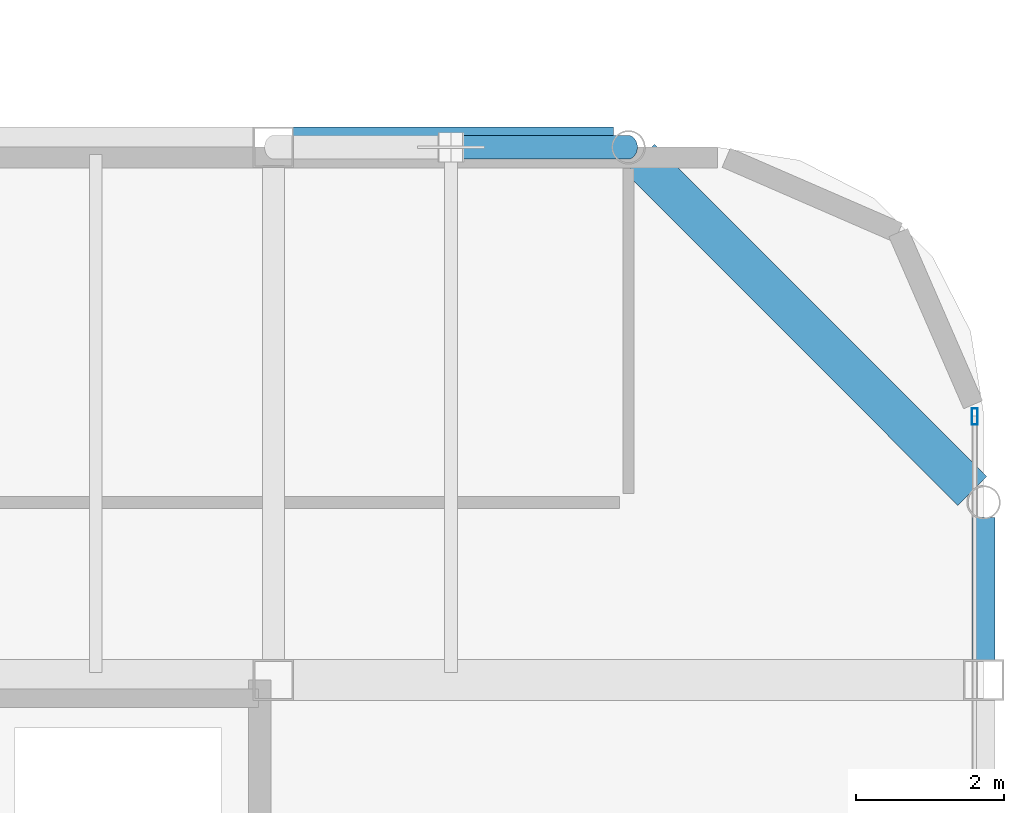
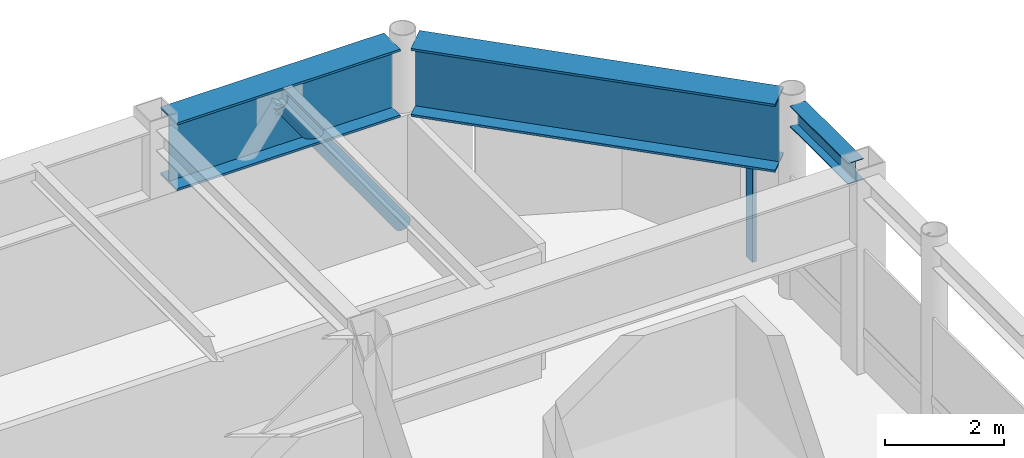
# One storey, part 15 of 23: 3 beams, 2 members, 1 element without a shape of its own.
"""IFC4 building model written with IfcOpenShell, lengths in metres."""

from ifc_helpers import new_model, si_unit, direction, frame, origin, origin_2d, place, context, subcontext, project, spatial, hollow_rectangle, hollow_circle, i_section, extrude, material, layer, layer_set, material_profile, profile_set, type_object, element, aggregate, save


model = new_model("IFC4")

# Units and contexts
model_context = context("Model", 3, precision=1e-05, world=origin(), true_north=direction((0.0, 1.0)))
body_context = subcontext(model_context, "Body", "Model", "MODEL_VIEW")
ifc_project = project(units=[si_unit("LENGTHUNIT", "METRE"), si_unit("AREAUNIT", "SQUARE_METRE"), si_unit("VOLUMEUNIT", "CUBIC_METRE"), si_unit("PLANEANGLEUNIT", "RADIAN"), si_unit("MASSUNIT", "GRAM", prefix="KILO")], contexts=[model_context])

# Site, building, storey
site_placement = place(None, origin())
site = spatial("IfcSite", under=ifc_project, at=site_placement, CompositionType="ELEMENT")
building_placement = place(site_placement, origin())
building = spatial("IfcBuilding", under=site, at=building_placement, Name="Kallvorn Hotel Tower", CompositionType="ELEMENT")
storey_placement = place(building_placement, frame((0.0, 0.0, 282.199951171875)))
storey = spatial("IfcBuildingStorey", under=building, at=storey_placement, Name="L70", CompositionType="ELEMENT", Elevation=282.199951171875)

# Beams
ifc_material_1 = material(Name="Structural steel S355JR", Category="steel")
ifc_material_profile_1 = material_profile(ifc_material_1, i_section(OverallWidth=0.300048828125, OverallDepth=0.43994140625, WebThickness=0.011474609375, FlangeThickness=0.02099609375, at=origin_2d()), Name="HE 450 A")
ifc_profile_set_1 = profile_set([ifc_material_profile_1], Name="Structural steel S355JR")
beam_type_1 = type_object("IfcBeamType", Name="BM_HE450A", PredefinedType="BEAM", material=ifc_profile_set_1)
beam_1_placement = place(storey_placement, frame((24.0, 7.449951171875, 3.780029296875), z_axis=(0.0, 1.0, 0.0), x_axis=(-1.0, 0.0, 0.0)))
element("IfcBeam", 1, at=beam_1_placement, inside=storey, type_object=beam_type_1, Name="L71 Primary Y-Girder 53", PredefinedType="BEAM", context=body_context, shape_type="SweptSolid", body=[
    extrude(i_section(OverallWidth=0.300048828125, OverallDepth=0.43994140625, WebThickness=0.011474609375, FlangeThickness=0.02099609375, at=origin_2d()), origin(), (0.0, 0.0, 1.0), 1.946533203125),
])
ifc_material_2 = material(Name="Structural steel S355JR", Category="steel")
ifc_material_profile_2 = material_profile(ifc_material_2, i_section(OverallWidth=0.550048828125, OverallDepth=1.39990234375, WebThickness=0.02490234375, FlangeThickness=0.044921875, at=origin_2d()), Name="PG 1400x550x25x45")
ifc_profile_set_2 = profile_set([ifc_material_profile_2], Name="Structural steel S355JR")
beam_type_2 = type_object("IfcBeamType", Name="BM_PG_1400", PredefinedType="BEAM", material=ifc_profile_set_2)
beam_2_placement = place(storey_placement, frame((14.64990234375, 14.39990234375, 3.300048828125), z_axis=(1.0, 0.0, 0.0), x_axis=(0.0, 1.0, 0.0)))
element("IfcBeam", 2, at=beam_2_placement, inside=storey, type_object=beam_type_2, Name="L71 Primary X-Girder 24", PredefinedType="BEAM", context=body_context, shape_type="SweptSolid", body=[
    extrude(i_section(OverallWidth=0.550048828125, OverallDepth=1.39990234375, WebThickness=0.02490234375, FlangeThickness=0.044921875, at=origin_2d()), origin(), (0.0, 0.0, 1.0), 4.3466796875),
])
beam_3_placement = place(storey_placement, frame((23.845458984375, 9.75439453125, 3.300048828125), z_axis=(-0.707087561367, 0.707126000484, 0.0), x_axis=(-0.707126000484, -0.707087561367, 0.0)))
element("IfcBeam", 3, at=beam_3_placement, inside=storey, type_object=beam_type_2, Name="L71 Rounded Corner Tie Beam 89", PredefinedType="BEAM", context=body_context, shape_type="SweptSolid", body=[
    extrude(i_section(OverallWidth=0.550048828125, OverallDepth=1.39990234375, WebThickness=0.02490234375, FlangeThickness=0.044921875, at=origin_2d()), origin(), (0.0, 0.0, 1.0), 6.351318359375),
])

# Curtain wall, member
ifc_material_3 = material(Name="Thermally broken black-anodised aluminium AA 6063-T6", Category="aluminium")
ifc_layer = layer(ifc_material_3, 0.25)
ifc_layer_set = layer_set([ifc_layer], Name="CW_SYS_6_SUMMIT_OBS")
curtain_wall_type = type_object("IfcCurtainWallType", Name="CW_SYS_6_SUMMIT_OBS", PredefinedType="USERDEFINED", material=ifc_layer_set)
curtain_wall_placement = place(storey_placement, origin())
curtain_wall = element("IfcCurtainWall", 4, at=curtain_wall_placement, inside=storey, type_object=curtain_wall_type, Name="L70 Dark-Glass Curtain Wall CW-L70-EN", ObjectType="UNITISED CURTAIN WALL", PredefinedType="USERDEFINED")
ifc_material_4 = material(Name="Thermally broken black-anodised aluminium AA 6063-T6", Category="aluminium")
ifc_material_profile_3 = material_profile(ifc_material_4, hollow_rectangle(XDim=0.080078125, YDim=0.219970703125, WallThickness=0.0048828125, at=origin_2d()), Name="MUL 220x80")
ifc_profile_set_3 = profile_set([ifc_material_profile_3], Name="Thermally broken black-anodised aluminium AA 6063-T6")
member_type_1 = type_object("IfcMemberType", Name="CW_MULLION_220x80", PredefinedType="MULLION", material=ifc_profile_set_3)
member_1_placement = place(storey_placement, frame((23.8798828125, 10.760009765625, 0.02001953125), z_axis=(0.0, 0.0, 1.0), x_axis=(1.0, 0.0, 0.0)))
member_1 = element("IfcMember", 5, at=member_1_placement, type_object=member_type_1, Name="CW-L70-EN Mullion 01", PredefinedType="MULLION", context=body_context, shape_type="SweptSolid", body=[
    extrude(hollow_rectangle(XDim=0.080078125, YDim=0.219970703125, WallThickness=0.0048828125, at=origin_2d()), origin(), (0.0, 0.0, 1.0), 2.56005859375),
])
aggregate(curtain_wall, [member_1])

# Member
ifc_material_5 = material(Name="Structural steel S355J2H", Category="steel")
ifc_material_profile_4 = material_profile(ifc_material_5, hollow_circle(Radius=0.161865234375, WallThickness=0.012451171875, at=origin_2d()), Name="CHS 323.9x12.5")
ifc_profile_set_4 = profile_set([ifc_material_profile_4], Name="Structural steel S355J2H")
member_type_2 = type_object("IfcMemberType", Name="MBR_EXO_CHS323", PredefinedType="BRACE", material=ifc_profile_set_4)
member_2_placement = place(storey_placement, frame((19.1884765625, 14.39990234375, 0.1962890625), z_axis=(-0.581277726734, 0.0, 0.813705231888), x_axis=(0.0, -1.0, 0.0)))
element("IfcMember", 6, at=member_2_placement, inside=storey, type_object=member_type_2, Name="L70 Exoskeleton K-Brace N2B", PredefinedType="BRACE", context=body_context, shape_type="SweptSolid", body=[
    extrude(hollow_circle(Radius=0.161865234375, WallThickness=0.012451171875, at=origin_2d()), origin(), (0.0, 0.0, 1.0), 4.089111328125),
])

save(model, "model.ifc")
